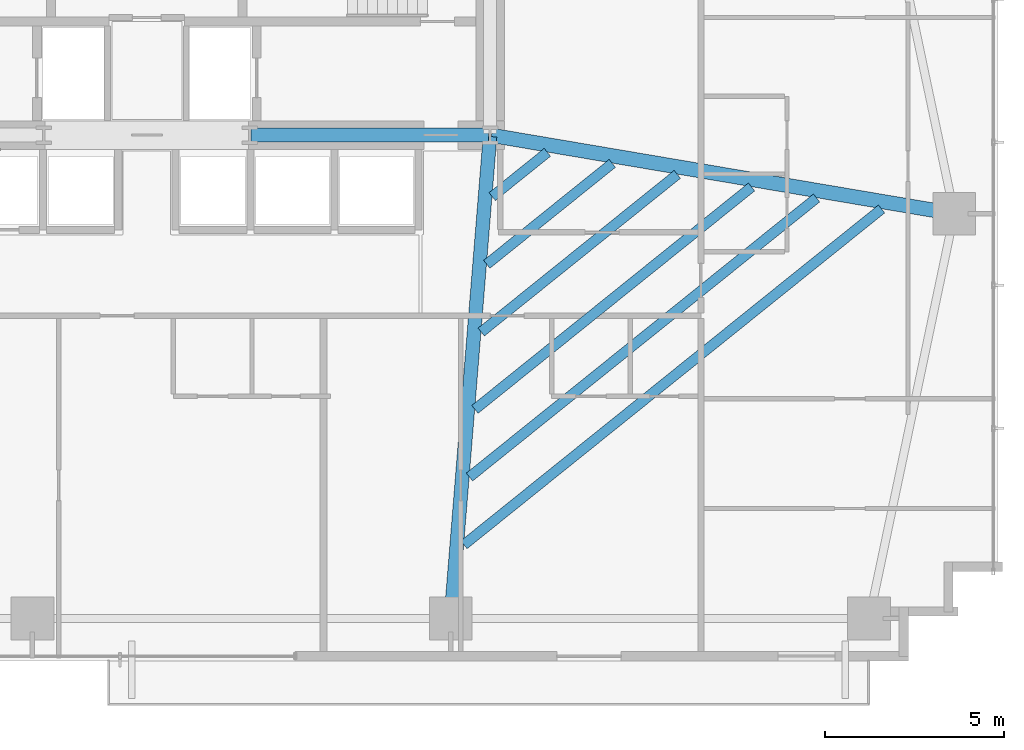
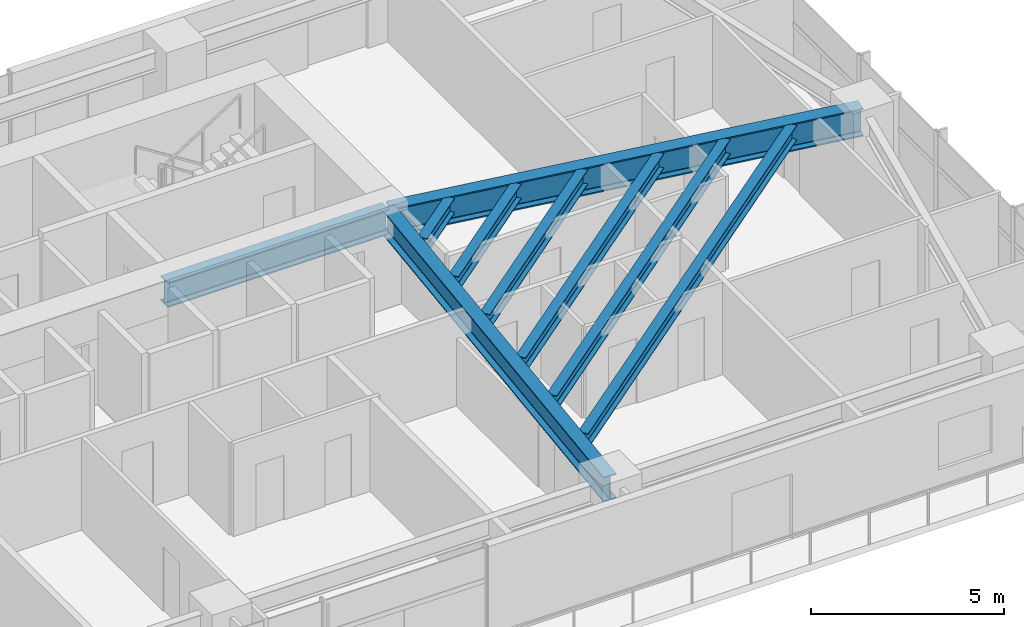
# One storey, part 13 of 25: 9 beams.
"""IFC4 building model written with IfcOpenShell, lengths in metres."""

from ifc_helpers import new_model, si_unit, direction, frame, origin, origin_2d, place, context, subcontext, project, spatial, i_section, extrude, source, transform, mapped, material, material_profile, profile_set, type_object, type_shapes, element, save


model = new_model("IFC4")

# Units and contexts
model_context = context("Model", 3, precision=1e-05, world=origin(), true_north=direction((0.0, 1.0)))
body_context = subcontext(model_context, "Body", "Model", "MODEL_VIEW")
ifc_project = project(units=[si_unit("LENGTHUNIT", "METRE"), si_unit("AREAUNIT", "SQUARE_METRE"), si_unit("VOLUMEUNIT", "CUBIC_METRE"), si_unit("PLANEANGLEUNIT", "RADIAN"), si_unit("MASSUNIT", "GRAM", prefix="KILO")], contexts=[model_context])

# Site, building, storey
site_placement = place(None, origin())
site = spatial("IfcSite", under=ifc_project, at=site_placement, CompositionType="ELEMENT")
building_placement = place(site_placement, origin())
building = spatial("IfcBuilding", under=site, at=building_placement, Name="Astriad Promenade Condominiums", CompositionType="ELEMENT")
storey_placement = place(building_placement, frame((0.0, 0.0, 51.800048828125)))
storey = spatial("IfcBuildingStorey", under=building, at=storey_placement, Name="L14", CompositionType="ELEMENT", Elevation=51.800048828125)

# Beams
ifc_material = material(Name="Steel ASTM A992 Grade 50", Category="steel")
ifc_material_profile_1 = material_profile(ifc_material, i_section(OverallWidth=0.3837890625, OverallDepth=0.785888671875, WebThickness=0.019775390625, FlangeThickness=0.033447265625, FilletRadius=0.021484375, at=origin_2d()), Name="W30X211")
ifc_profile_set_1 = profile_set([ifc_material_profile_1], Name="Steel ASTM A992 Grade 50")
beam_type_1 = type_object("IfcBeamType", Name="STEEL FLOOR GIRDER W30X211", PredefinedType="BEAM", material=ifc_profile_set_1)
shared_shape_1 = source(origin(), body_context, "Body", "SweptSolid", [
    extrude(i_section(OverallWidth=0.3837890625, OverallDepth=0.785888671875, WebThickness=0.019775390625, FlangeThickness=0.033447265625, FilletRadius=0.021484375, at=origin_2d()), origin(), (0.0, 0.0, 1.0), 6.64013671875),
])
beam_1_placement = place(storey_placement, frame((38.919921875, 17.39990234375, 2.547119140625), z_axis=(1.0, 0.0, 0.0), x_axis=(0.0, 1.0, 0.0)))
element("IfcBeam", 1, at=beam_1_placement, inside=storey, type_object=beam_type_1, Name="Core Ring Beam CG-S3-L14", PredefinedType="BEAM", context=body_context, shape_type="MappedRepresentation", body=[
    mapped(shared_shape_1, transform((0.0, 0.0, 0.0), scale=1.0)),
])
shared_shape_2 = source(origin(), body_context, "Body", "SweptSolid", [
    extrude(i_section(OverallWidth=0.3837890625, OverallDepth=0.785888671875, WebThickness=0.019775390625, FlangeThickness=0.033447265625, FilletRadius=0.021484375, at=origin_2d()), origin(), (0.0, 0.0, 1.0), 13.484619140625),
])
type_shapes(beam_type_1, [shared_shape_1, shared_shape_2])
beam_2_placement = place(storey_placement, frame((44.503173828125, 3.919921875, 2.547119140625), z_axis=(0.081092961134, 0.996706542396, 0.0), x_axis=(-0.996706542396, 0.081092961134, 0.0)))
element("IfcBeam", 2, at=beam_2_placement, inside=storey, type_object=beam_type_1, Name="Primary Floor Girder PG-E2-L14", PredefinedType="BEAM", context=body_context, shape_type="MappedRepresentation", body=[
    mapped(shared_shape_2, transform((0.0, 0.0, 0.0), scale=1.0)),
])
ifc_material_profile_2 = material_profile(ifc_material, i_section(OverallWidth=0.4013671875, OverallDepth=0.877197265625, WebThickness=0.022216796875, FlangeThickness=0.039794921875, FilletRadius=0.02294921875, at=origin_2d()), Name="W33X263")
ifc_profile_set_2 = profile_set([ifc_material_profile_2], Name="Steel ASTM A992 Grade 50")
beam_type_2 = type_object("IfcBeamType", Name="STEEL PRIMARY GIRDER W33X263", PredefinedType="BEAM", material=ifc_profile_set_2)
shared_shape_3 = source(origin(), body_context, "Body", "SweptSolid", [
    extrude(i_section(OverallWidth=0.4013671875, OverallDepth=0.877197265625, WebThickness=0.022216796875, FlangeThickness=0.039794921875, FilletRadius=0.02294921875, at=origin_2d()), origin(), (0.0, 0.0, 1.0), 13.085205078125),
])
type_shapes(beam_type_2, [shared_shape_3])
beam_3_placement = place(storey_placement, frame((58.54052734375, 15.206787109375, 2.50146484375), z_axis=(-0.985939912267, 0.167100237577, 0.0), x_axis=(-0.167100237577, -0.985939912267, 0.0)))
element("IfcBeam", 3, at=beam_3_placement, inside=storey, type_object=beam_type_2, Name="Primary Floor Girder PG-EM-L14", PredefinedType="BEAM", context=body_context, shape_type="MappedRepresentation", body=[
    mapped(shared_shape_3, transform((0.0, 0.0, 0.0), scale=1.0)),
])
ifc_material_profile_3 = material_profile(ifc_material, i_section(OverallWidth=0.283203125, OverallDepth=0.47216796875, WebThickness=0.013671875, FlangeThickness=0.022216796875, FilletRadius=0.01513671875, at=origin_2d()), Name="W18X97")
ifc_profile_set_3 = profile_set([ifc_material_profile_3], Name="Steel ASTM A992 Grade 50")
beam_type_3 = type_object("IfcBeamType", Name="STEEL FLOOR JOIST W18X97", PredefinedType="JOIST", material=ifc_profile_set_3)
shared_shape_4 = source(origin(), body_context, "Body", "SweptSolid", [
    extrude(i_section(OverallWidth=0.283203125, OverallDepth=0.47216796875, WebThickness=0.013671875, FlangeThickness=0.022216796875, FilletRadius=0.01513671875, at=origin_2d()), origin(), (0.0, 0.0, 1.0), 14.984375),
])
beam_4_placement = place(storey_placement, frame((44.867919921875, 5.944580078125, 2.703857421875), z_axis=(0.77934368876, 0.626596692291, 0.0), x_axis=(-0.626596692291, 0.77934368876, 0.0)))
element("IfcBeam", 4, at=beam_4_placement, inside=storey, type_object=beam_type_3, Name="Secondary Composite Floor Joist JE1-1-L14", PredefinedType="JOIST", context=body_context, shape_type="MappedRepresentation", body=[
    mapped(shared_shape_4, transform((0.0, 0.0, 0.0), scale=1.0)),
])
shared_shape_5 = source(origin(), body_context, "Body", "SweptSolid", [
    extrude(i_section(OverallWidth=0.283203125, OverallDepth=0.47216796875, WebThickness=0.013671875, FlangeThickness=0.022216796875, FilletRadius=0.01513671875, at=origin_2d()), origin(), (0.0, 0.0, 1.0), 12.455078125),
])
beam_5_placement = place(storey_placement, frame((45.021728515625, 7.83740234375, 2.703857421875), z_axis=(0.77935577594, 0.626581658292, 0.0), x_axis=(-0.626581658292, 0.77935577594, 0.0)))
element("IfcBeam", 5, at=beam_5_placement, inside=storey, type_object=beam_type_3, Name="Secondary Composite Floor Joist JE1-2-L14", PredefinedType="JOIST", context=body_context, shape_type="MappedRepresentation", body=[
    mapped(shared_shape_5, transform((0.0, 0.0, 0.0), scale=1.0)),
])
shared_shape_6 = source(origin(), body_context, "Body", "SweptSolid", [
    extrude(i_section(OverallWidth=0.283203125, OverallDepth=0.47216796875, WebThickness=0.013671875, FlangeThickness=0.022216796875, FilletRadius=0.01513671875, at=origin_2d()), origin(), (0.0, 0.0, 1.0), 9.926025390625),
])
beam_6_placement = place(storey_placement, frame((45.17578125, 9.730224609375, 2.703857421875), z_axis=(0.779352355084, 0.626585913203, 0.0), x_axis=(-0.626585913203, 0.779352355084, 0.0)))
element("IfcBeam", 6, at=beam_6_placement, inside=storey, type_object=beam_type_3, Name="Secondary Composite Floor Joist JE1-3-L14", PredefinedType="JOIST", context=body_context, shape_type="MappedRepresentation", body=[
    mapped(shared_shape_6, transform((0.0, 0.0, 0.0), scale=1.0)),
])
shared_shape_7 = source(origin(), body_context, "Body", "SweptSolid", [
    extrude(i_section(OverallWidth=0.283203125, OverallDepth=0.47216796875, WebThickness=0.013671875, FlangeThickness=0.022216796875, FilletRadius=0.01513671875, at=origin_2d()), origin(), (0.0, 0.0, 1.0), 7.03515625),
])
beam_7_placement = place(storey_placement, frame((45.351806640625, 11.8935546875, 2.703857421875), z_axis=(0.779349752639, 0.626589150131, 0.0), x_axis=(-0.626589150131, 0.779349752639, 0.0)))
element("IfcBeam", 7, at=beam_7_placement, inside=storey, type_object=beam_type_3, Name="Secondary Composite Floor Joist JE1-4-L14", PredefinedType="JOIST", context=body_context, shape_type="MappedRepresentation", body=[
    mapped(shared_shape_7, transform((0.0, 0.0, 0.0), scale=1.0)),
])
shared_shape_8 = source(origin(), body_context, "Body", "SweptSolid", [
    extrude(i_section(OverallWidth=0.283203125, OverallDepth=0.47216796875, WebThickness=0.013671875, FlangeThickness=0.022216796875, FilletRadius=0.01513671875, at=origin_2d()), origin(), (0.0, 0.0, 1.0), 4.505859375),
])
beam_8_placement = place(storey_placement, frame((45.505859375, 13.786376953125, 2.703857421875), z_axis=(0.779365294733, 0.626569818429, 0.0), x_axis=(-0.626569818429, 0.779365294733, 0.0)))
element("IfcBeam", 8, at=beam_8_placement, inside=storey, type_object=beam_type_3, Name="Secondary Composite Floor Joist JE1-5-L14", PredefinedType="JOIST", context=body_context, shape_type="MappedRepresentation", body=[
    mapped(shared_shape_8, transform((0.0, 0.0, 0.0), scale=1.0)),
])
shared_shape_9 = source(origin(), body_context, "Body", "SweptSolid", [
    extrude(i_section(OverallWidth=0.283203125, OverallDepth=0.47216796875, WebThickness=0.013671875, FlangeThickness=0.022216796875, FilletRadius=0.01513671875, at=origin_2d()), origin(), (0.0, 0.0, 1.0), 1.9765625),
])
type_shapes(beam_type_3, [shared_shape_4, shared_shape_5, shared_shape_6, shared_shape_7, shared_shape_8, shared_shape_9])
beam_9_placement = place(storey_placement, frame((45.659912109375, 15.67919921875, 2.703857421875), z_axis=(0.77936029648, 0.626576035506, 0.0), x_axis=(-0.626576035506, 0.77936029648, 0.0)))
element("IfcBeam", 9, at=beam_9_placement, inside=storey, type_object=beam_type_3, Name="Secondary Composite Floor Joist JE1-6-L14", PredefinedType="JOIST", context=body_context, shape_type="MappedRepresentation", body=[
    mapped(shared_shape_9, transform((0.0, 0.0, 0.0), scale=1.0)),
])

save(model, "model.ifc")
